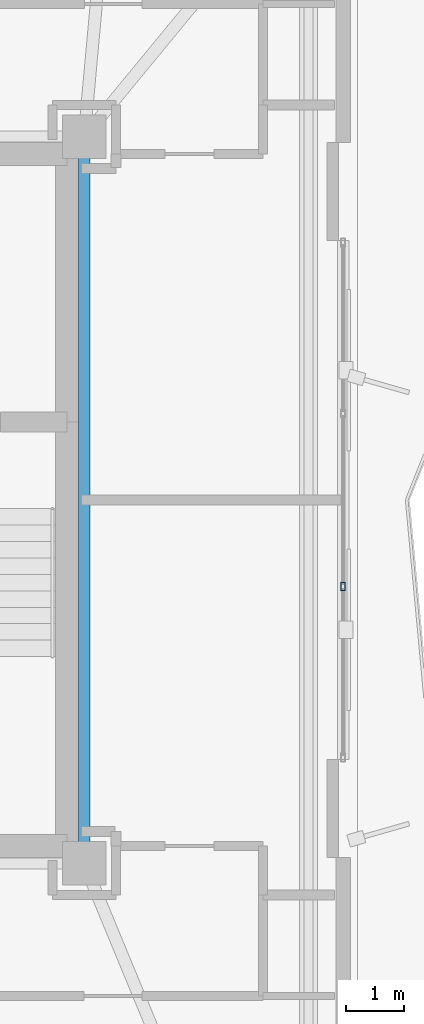
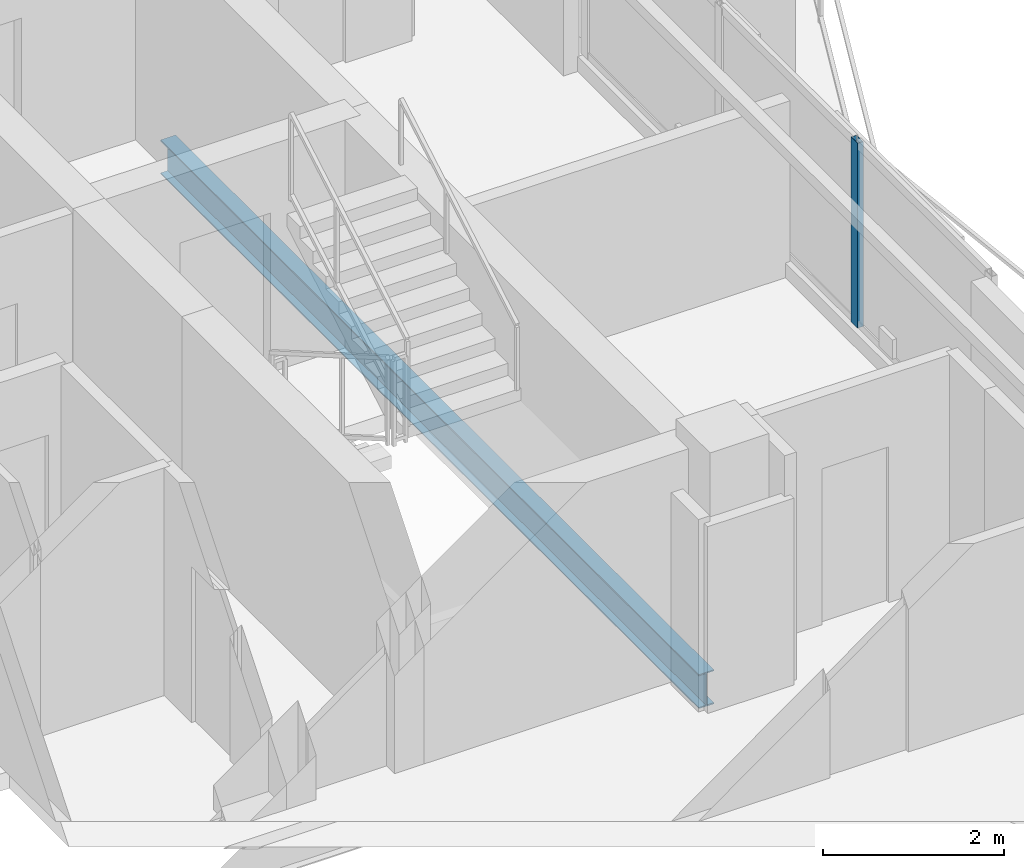
# One storey, part 11 of 21: 1 beam, 1 member, 1 element without a shape of its own.
"""IFC4 building model written with IfcOpenShell, lengths in metres."""

from ifc_helpers import new_model, si_unit, direction, frame, origin, origin_2d, place, context, subcontext, project, spatial, hollow_rectangle, i_section, extrude, material, layer, layer_set, material_profile, profile_set, type_object, element, aggregate, save


model = new_model("IFC4")

# Units and contexts
model_context = context("Model", 3, precision=1e-05, world=origin(), true_north=direction((0.0, 1.0)))
body_context = subcontext(model_context, "Body", "Model", "MODEL_VIEW")
ifc_project = project(units=[si_unit("LENGTHUNIT", "METRE"), si_unit("AREAUNIT", "SQUARE_METRE"), si_unit("VOLUMEUNIT", "CUBIC_METRE"), si_unit("PLANEANGLEUNIT", "RADIAN"), si_unit("MASSUNIT", "GRAM", prefix="KILO")], contexts=[model_context])

# Site, building, storey
site_placement = place(None, origin())
site = spatial("IfcSite", under=ifc_project, at=site_placement, CompositionType="ELEMENT")
building_placement = place(site_placement, origin())
building = spatial("IfcBuilding", under=site, at=building_placement, Name="Mersakhor Tower and Convention Hall", CompositionType="ELEMENT")
storey_placement = place(building_placement, frame((0.0, 0.0, 185.39990234375)))
storey = spatial("IfcBuildingStorey", under=building, at=storey_placement, Name="L51", CompositionType="ELEMENT", Elevation=185.39990234375)

# Beam
ifc_material_1 = material(Name="Steel S355", Category="steel")
ifc_material_profile_1 = material_profile(ifc_material_1, i_section(OverallWidth=0.19140625, OverallDepth=0.4599609375, WebThickness=0.010009765625, FlangeThickness=0.01611328125, at=origin_2d()), Name="UB 457x191x82")
ifc_profile_set_1 = profile_set([ifc_material_profile_1], Name="Steel S355")
beam_type = type_object("IfcBeamType", Name="BM-FB-457", PredefinedType="BEAM", material=ifc_profile_set_1)
beam_placement = place(storey_placement, frame((36.10009765625, 32.695068359375, -0.4599609375), z_axis=(0.0, -1.0, 0.0), x_axis=(1.0, 0.0, 0.0)))
element("IfcBeam", 1, at=beam_placement, inside=storey, type_object=beam_type, Name="L51 Core Ring Tie Beam CRB-3", PredefinedType="BEAM", context=body_context, shape_type="SweptSolid", body=[
    extrude(i_section(OverallWidth=0.19140625, OverallDepth=0.4599609375, WebThickness=0.010009765625, FlangeThickness=0.01611328125, at=origin_2d()), origin(), (0.0, 0.0, 1.0), 11.89013671875),
])

# Curtain wall, member
ifc_material_2 = material(Name="Dark solar low-E aluminium curtain wall", Category="aluminium")
ifc_layer = layer(ifc_material_2, 0.169921875)
ifc_layer_set = layer_set([ifc_layer], Name="Dark solar low-E aluminium curtain wall")
curtain_wall_type = type_object("IfcCurtainWallType", Name="CW-SYS-02", PredefinedType="USERDEFINED", material=ifc_layer_set)
curtain_wall_placement = place(storey_placement, origin())
curtain_wall = element("IfcCurtainWall", 2, at=curtain_wall_placement, inside=storey, type_object=curtain_wall_type, Name="L51 Dark-Glass Curtain Wall F2-B2", ObjectType="CURTAIN WALL", PredefinedType="USERDEFINED")
ifc_material_3 = material(Name="Anodised aluminium EN AW-6063 T6", Category="aluminium")
ifc_material_profile_2 = material_profile(ifc_material_3, hollow_rectangle(XDim=0.074951171875, YDim=0.14990234375, WallThickness=0.00634765625, at=origin_2d()), Name="RHS 150x75x6.3")
ifc_profile_set_2 = profile_set([ifc_material_profile_2], Name="Anodised aluminium EN AW-6063 T6")
member_type = type_object("IfcMemberType", Name="CWM-150x75", PredefinedType="MULLION", material=ifc_profile_set_2)
member_placement = place(storey_placement, frame((40.58837890625, 25.250244140625, 0.2001953125), z_axis=(0.0, 0.0, 1.0), x_axis=(1.0, 0.0, 0.0)))
member = element("IfcMember", 3, at=member_placement, type_object=member_type, Name="CW-02 mullion 3", PredefinedType="MULLION", context=body_context, shape_type="SweptSolid", body=[
    extrude(hollow_rectangle(XDim=0.074951171875, YDim=0.14990234375, WallThickness=0.00634765625, at=origin_2d()), origin(), (0.0, 0.0, 1.0), 2.489990234375),
])
aggregate(curtain_wall, [member])

save(model, "model.ifc")
